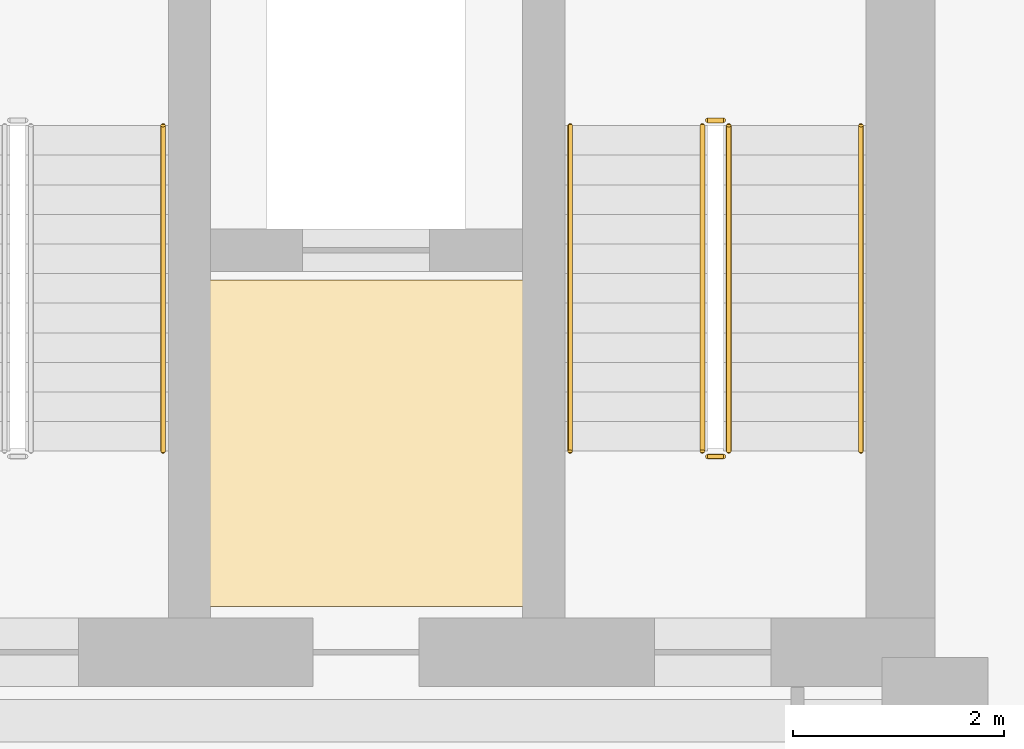
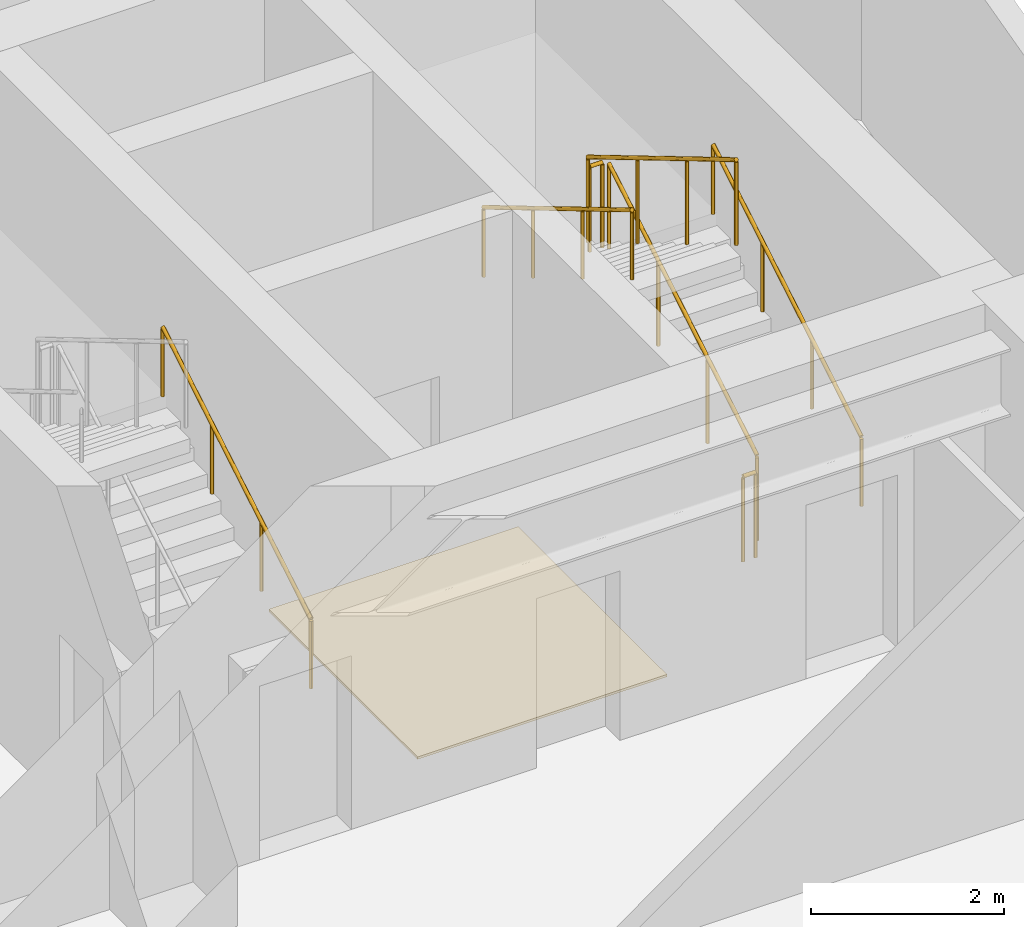
# One storey, part 26 of 26: 7 railings, 1 covering.
"""IFC4 building model written with IfcOpenShell, lengths in metres."""

from ifc_helpers import new_model, si_unit, direction, frame, origin, origin_2d, place, context, subcontext, project, spatial, polyline, circle, outline, extrude, material, layer, layer_set, type_object, element, save


model = new_model("IFC4")

# Units and contexts
model_context = context("Model", 3, precision=1e-05, world=origin(), true_north=direction((0.0, 1.0)))
body_context = subcontext(model_context, "Body", "Model", "MODEL_VIEW")
ifc_project = project(units=[si_unit("LENGTHUNIT", "METRE"), si_unit("AREAUNIT", "SQUARE_METRE"), si_unit("VOLUMEUNIT", "CUBIC_METRE"), si_unit("PLANEANGLEUNIT", "RADIAN"), si_unit("MASSUNIT", "GRAM", prefix="KILO")], contexts=[model_context])

# Site, building, storey
site_placement = place(None, origin())
site = spatial("IfcSite", under=ifc_project, at=site_placement, CompositionType="ELEMENT")
building_placement = place(site_placement, origin())
building = spatial("IfcBuilding", under=site, at=building_placement, Name="Kravanh Interchange Tower", CompositionType="ELEMENT")
storey_placement = place(building_placement, frame((0.0, 0.0, 128.0)))
storey = spatial("IfcBuildingStorey", under=building, at=storey_placement, Name="L30", CompositionType="ELEMENT", Elevation=128.0)

# Covering
ifc_material_1 = material(Name="Cementitious Terrazzo Tile")
ifc_layer_1 = layer(ifc_material_1, 0.030029296875)
ifc_layer_set_1 = layer_set([ifc_layer_1], Name="Honed Terrazzo Lobby Flooring 30mm")
covering_type = type_object("IfcCoveringType", Name="Honed Terrazzo Lobby Flooring 30mm", PredefinedType="FLOORING", material=ifc_layer_set_1)
covering_placement = place(storey_placement, origin())
element("IfcCovering", 1, at=covering_placement, inside=storey, type_object=covering_type, Name="L30 Service Lift Lobby Floor Finish", PredefinedType="FLOORING", context=body_context, shape_type="SweptSolid", body=[
    extrude(outline(polyline([(59.6298828125, 41.52001953125), (62.6201171875, 41.52001953125), (62.6201171875, 38.429931640625), (59.6298828125, 38.429931640625), (59.6298828125, 41.52001953125)])), origin(), (0.0, 0.0, 1.0), 0.030029296875),
])

# Railings
ifc_material_2 = material(Name="Structural Steel S355", Category="steel")
ifc_layer_2 = layer(ifc_material_2, 0.050048828125)
ifc_layer_set_2 = layer_set([ifc_layer_2], Name="Stair Well Guardrail Structural Steel S355 1100mm")
railing_type_1 = type_object("IfcRailingType", Name="Stair Well Guardrail Structural Steel S355 1100mm", PredefinedType="GUARDRAIL", material=ifc_layer_set_2)
railing_1_placement = place(storey_placement, frame((64.550048828125, 39.89990234375, 0.166748046875)))
element("IfcRailing", 2, at=railing_1_placement, inside=storey, type_object=railing_type_1, Name="L30 ST1 stair guard 1", PredefinedType="GUARDRAIL", context=body_context, shape_type="SweptSolid", body=[
    extrude(circle(Radius=0.02392578125, at=origin_2d()), frame((0.0, 0.0, 1.076171875), z_axis=(0.0, 0.859308565015, 0.511457515432), x_axis=(-1.0, 0.0, 0.0)), (0.0, 0.0, 1.0), 3.58447265625),
    extrude(circle(Radius=0.02099609375, at=origin_2d()), origin(), (0.0, 0.0, 1.0), 1.052001953125),
    extrude(circle(Radius=0.02099609375, at=origin_2d()), frame((0.0, 1.026611328125, 0.611083984375)), (0.0, 0.0, 1.0), 1.052001953125),
    extrude(circle(Radius=0.02099609375, at=origin_2d()), frame((0.0, 2.053466796875, 1.22216796875)), (0.0, 0.0, 1.0), 1.052001953125),
    extrude(circle(Radius=0.02099609375, at=origin_2d()), frame((0.0, 3.080078125, 1.833251953125)), (0.0, 0.0, 1.0), 1.052001953125),
])
railing_2_placement = place(storey_placement, frame((64.5, 43.030029296875, 2.0)))
element("IfcRailing", 3, at=railing_2_placement, inside=storey, type_object=railing_type_1, Name="L30 ST1 stair guard 2", PredefinedType="GUARDRAIL", context=body_context, shape_type="SweptSolid", body=[
    extrude(circle(Radius=0.02392578125, at=origin_2d()), frame((0.0, 0.0, 1.076171875), z_axis=(-1.0, 0.0, 0.0), x_axis=(0.0, -1.0, 0.0)), (0.0, 0.0, 1.0), 0.14990234375),
    extrude(circle(Radius=0.02099609375, at=origin_2d()), origin(), (0.0, 0.0, 1.0), 1.052001953125),
    extrude(circle(Radius=0.02099609375, at=origin_2d()), frame((-0.14990234375, 0.0, 0.0)), (0.0, 0.0, 1.0), 1.052001953125),
])
railing_3_placement = place(storey_placement, frame((64.300048828125, 42.97998046875, 2.166748046875)))
element("IfcRailing", 4, at=railing_3_placement, inside=storey, type_object=railing_type_1, Name="L30 ST1 stair guard 3", PredefinedType="GUARDRAIL", context=body_context, shape_type="SweptSolid", body=[
    extrude(circle(Radius=0.02392578125, at=origin_2d()), frame((0.0, 0.0, 1.076171875), z_axis=(0.0, -0.859308565015, 0.511457515432), x_axis=(1.0, 0.0, 0.0)), (0.0, 0.0, 1.0), 3.58447265625),
    extrude(circle(Radius=0.02099609375, at=origin_2d()), origin(), (0.0, 0.0, 1.0), 1.052001953125),
    extrude(circle(Radius=0.02099609375, at=origin_2d()), frame((0.0, -1.026611328125, 0.611083984375)), (0.0, 0.0, 1.0), 1.052001953125),
    extrude(circle(Radius=0.02099609375, at=origin_2d()), frame((0.0, -2.053466796875, 1.22216796875)), (0.0, 0.0, 1.0), 1.052001953125),
    extrude(circle(Radius=0.02099609375, at=origin_2d()), frame((0.0, -3.080078125, 1.833251953125)), (0.0, 0.0, 1.0), 1.052001953125),
])
railing_4_placement = place(storey_placement, frame((64.5, 39.85009765625, 0.0)))
element("IfcRailing", 5, at=railing_4_placement, inside=storey, type_object=railing_type_1, Name="L30 ST1 stair guard 4", PredefinedType="GUARDRAIL", context=body_context, shape_type="SweptSolid", body=[
    extrude(circle(Radius=0.02392578125, at=origin_2d()), frame((0.0, 0.0, 1.076171875), z_axis=(-1.0, 0.0, 0.0), x_axis=(0.0, -1.0, 0.0)), (0.0, 0.0, 1.0), 0.14990234375),
    extrude(circle(Radius=0.02099609375, at=origin_2d()), origin(), (0.0, 0.0, 1.0), 1.052001953125),
    extrude(circle(Radius=0.02099609375, at=origin_2d()), frame((-0.14990234375, 0.0, 0.0)), (0.0, 0.0, 1.0), 1.052001953125),
])
ifc_material_3 = material(Name="Stainless Steel 304", Category="steel")
ifc_layer_3 = layer(ifc_material_3, 0.044921875)
ifc_layer_set_3 = layer_set([ifc_layer_3], Name="Tubular Stair Handrail Stainless 304 900mm")
railing_type_2 = type_object("IfcRailingType", Name="Tubular Stair Handrail Stainless 304 900mm", PredefinedType="HANDRAIL", material=ifc_layer_set_3)
railing_5_placement = place(storey_placement, frame((65.800048828125, 39.89990234375, 0.166748046875)))
element("IfcRailing", 6, at=railing_5_placement, inside=storey, type_object=railing_type_2, Name="L30 ST1 stair handrail 1", PredefinedType="HANDRAIL", context=body_context, shape_type="SweptSolid", body=[
    extrude(circle(Radius=0.02392578125, at=origin_2d()), frame((0.0, 0.0, 0.8759765625), z_axis=(0.0, 0.859308565015, 0.511457515432), x_axis=(-1.0, 0.0, 0.0)), (0.0, 0.0, 1.0), 3.58447265625),
    extrude(circle(Radius=0.02099609375, at=origin_2d()), origin(), (0.0, 0.0, 1.0), 0.851806640625),
    extrude(circle(Radius=0.02099609375, at=origin_2d()), frame((0.0, 1.026611328125, 0.611083984375)), (0.0, 0.0, 1.0), 0.851806640625),
    extrude(circle(Radius=0.02099609375, at=origin_2d()), frame((0.0, 2.053466796875, 1.22216796875)), (0.0, 0.0, 1.0), 0.851806640625),
    extrude(circle(Radius=0.02099609375, at=origin_2d()), frame((0.0, 3.080078125, 1.833251953125)), (0.0, 0.0, 1.0), 0.851806640625),
])
railing_6_placement = place(storey_placement, frame((63.050048828125, 42.97998046875, 2.166748046875)))
element("IfcRailing", 7, at=railing_6_placement, inside=storey, type_object=railing_type_2, Name="L30 ST1 stair handrail 2", PredefinedType="HANDRAIL", context=body_context, shape_type="SweptSolid", body=[
    extrude(circle(Radius=0.02392578125, at=origin_2d()), frame((0.0, 0.0, 0.8759765625), z_axis=(0.0, -0.859308565015, 0.511457515432), x_axis=(1.0, 0.0, 0.0)), (0.0, 0.0, 1.0), 3.58447265625),
    extrude(circle(Radius=0.02099609375, at=origin_2d()), origin(), (0.0, 0.0, 1.0), 0.851806640625),
    extrude(circle(Radius=0.02099609375, at=origin_2d()), frame((0.0, -1.026611328125, 0.611083984375)), (0.0, 0.0, 1.0), 0.851806640625),
    extrude(circle(Radius=0.02099609375, at=origin_2d()), frame((0.0, -2.053466796875, 1.22216796875)), (0.0, 0.0, 1.0), 0.851806640625),
    extrude(circle(Radius=0.02099609375, at=origin_2d()), frame((0.0, -3.080078125, 1.833251953125)), (0.0, 0.0, 1.0), 0.851806640625),
])
railing_7_placement = place(storey_placement, frame((59.199951171875, 39.89990234375, 0.166748046875)))
element("IfcRailing", 8, at=railing_7_placement, inside=storey, type_object=railing_type_2, Name="L30 ST2 stair handrail 1", PredefinedType="HANDRAIL", context=body_context, shape_type="SweptSolid", body=[
    extrude(circle(Radius=0.02392578125, at=origin_2d()), frame((0.0, 0.0, 0.8759765625), z_axis=(0.0, 0.859308565015, 0.511457515432), x_axis=(-1.0, 0.0, 0.0)), (0.0, 0.0, 1.0), 3.58447265625),
    extrude(circle(Radius=0.02099609375, at=origin_2d()), origin(), (0.0, 0.0, 1.0), 0.851806640625),
    extrude(circle(Radius=0.02099609375, at=origin_2d()), frame((0.0, 1.026611328125, 0.611083984375)), (0.0, 0.0, 1.0), 0.851806640625),
    extrude(circle(Radius=0.02099609375, at=origin_2d()), frame((0.0, 2.053466796875, 1.22216796875)), (0.0, 0.0, 1.0), 0.851806640625),
    extrude(circle(Radius=0.02099609375, at=origin_2d()), frame((0.0, 3.080078125, 1.833251953125)), (0.0, 0.0, 1.0), 0.851806640625),
])

save(model, "model.ifc")
